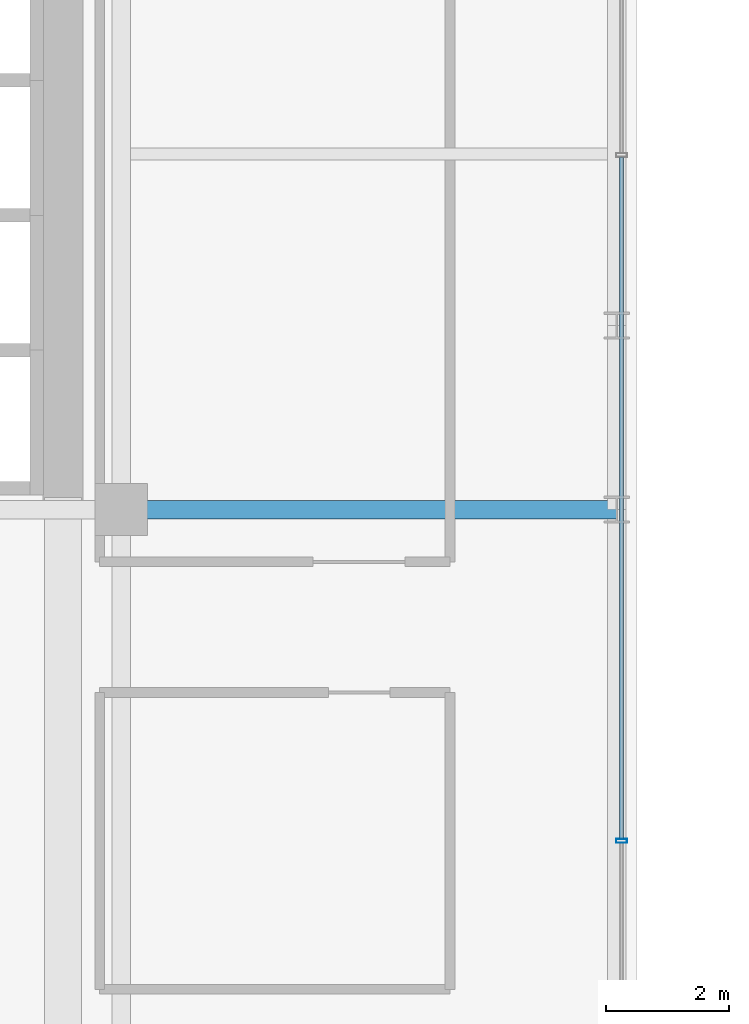
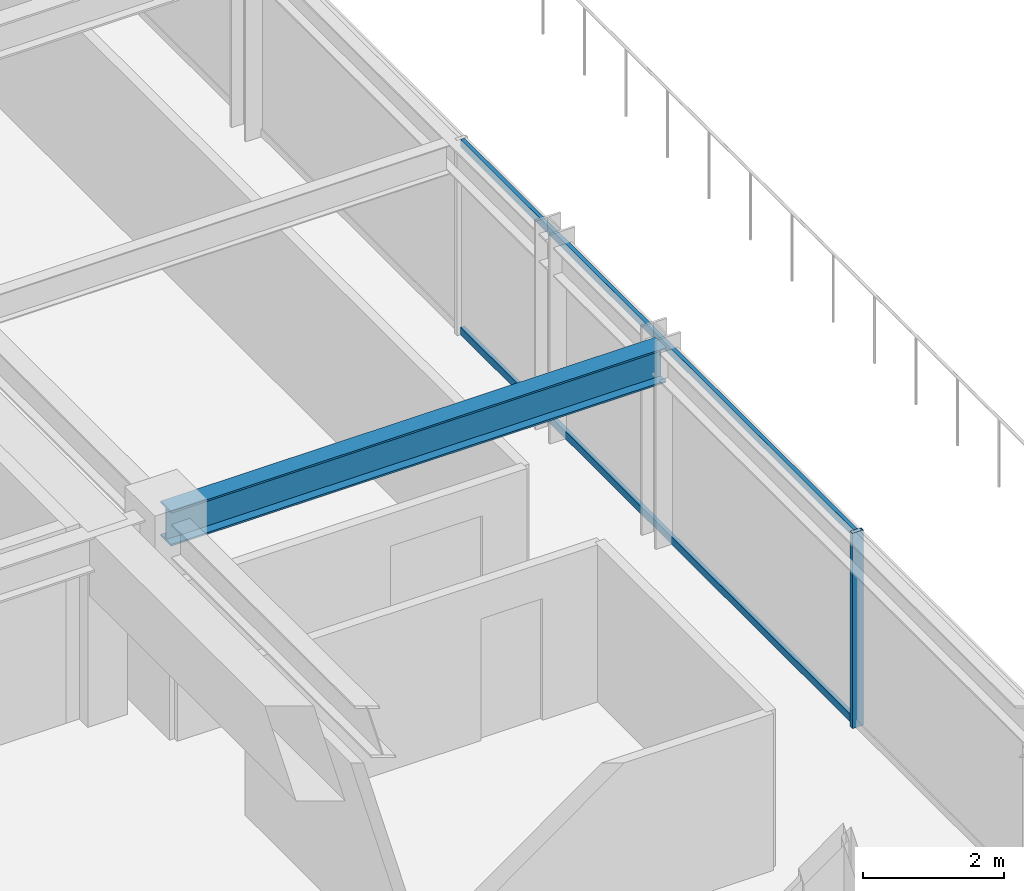
# One storey, part 17 of 39: 3 members, 1 beam, 1 element without a shape of its own.
"""IFC4 building model written with IfcOpenShell, lengths in metres."""

from ifc_helpers import new_model, si_unit, direction, frame, origin, origin_2d, place, context, subcontext, project, spatial, hollow_rectangle, i_section, extrude, source, transform, mapped, material, material_profile, profile_set, type_object, element, aggregate, save


model = new_model("IFC4")

# Units and contexts
model_context = context("Model", 3, precision=1e-05, world=origin(), true_north=direction((0.0, 1.0)))
body_context = subcontext(model_context, "Body", "Model", "MODEL_VIEW")
ifc_project = project(units=[si_unit("LENGTHUNIT", "METRE"), si_unit("AREAUNIT", "SQUARE_METRE"), si_unit("VOLUMEUNIT", "CUBIC_METRE"), si_unit("PLANEANGLEUNIT", "RADIAN"), si_unit("MASSUNIT", "GRAM", prefix="KILO")], contexts=[model_context])

# Site, building, storey
site_placement = place(None, origin())
site = spatial("IfcSite", under=ifc_project, at=site_placement, CompositionType="ELEMENT")
building_placement = place(site_placement, origin())
building = spatial("IfcBuilding", under=site, at=building_placement, Name="Nahalor Promenade Grand Hotel", CompositionType="ELEMENT")
storey_placement = place(building_placement, frame((0.0, 0.0, 32.39990234375)))
storey = spatial("IfcBuildingStorey", under=building, at=storey_placement, Name="L06", CompositionType="ELEMENT", Elevation=32.39990234375)

# Beam
ifc_material_1 = material(Name="Steel S355JR", Category="steel")
ifc_material_profile_1 = material_profile(ifc_material_1, i_section(OverallWidth=0.3, OverallDepth=0.6, WebThickness=0.0155, FlangeThickness=0.03, at=origin_2d()), Name="HEB 600")
ifc_profile_set_1 = profile_set([ifc_material_profile_1], Name="Steel S355JR")
beam_type = type_object("IfcBeamType", Name="Beam-Girder-HEB600", PredefinedType="BEAM", material=ifc_profile_set_1)
shared_shape_1 = source(origin(), body_context, "Body", "SweptSolid", [
    extrude(i_section(OverallWidth=0.3, OverallDepth=0.6, WebThickness=0.0155, FlangeThickness=0.03, at=origin_2d()), origin(), (0.0, 0.0, 1.0), 8.080078125),
])
beam_placement = place(storey_placement, frame((17.0, 5.39990234375, 3.070068359375), z_axis=(1.0, 0.0, 0.0), x_axis=(0.0, 1.0, 0.0)))
element("IfcBeam", 1, at=beam_placement, inside=storey, type_object=beam_type, Name="BM-L06-GX-2-6", PredefinedType="BEAM", context=body_context, shape_type="MappedRepresentation", body=[
    mapped(shared_shape_1, transform((0.0, 0.0, 0.0), scale=1.0)),
])

# Curtain wall, members
ifc_material_2 = material(Name="Anodised Bronze Aluminium EN AW-6063 T6", Category="aluminium")
curtain_wall_type = type_object("IfcCurtainWallType", Name="CW2 Typical Hotel Flush Bronze Unitised Curtain Wall", PredefinedType="USERDEFINED", material=ifc_material_2)
curtain_wall_placement = place(storey_placement, origin())
curtain_wall = element("IfcCurtainWall", 2, at=curtain_wall_placement, inside=storey, type_object=curtain_wall_type, Name="L06 Curtain Wall CW-L06-E-1", ObjectType="UNITISED_CURTAIN_WALL", PredefinedType="USERDEFINED")
ifc_material_profile_2 = material_profile(ifc_material_2, hollow_rectangle(XDim=0.065, YDim=0.18, WallThickness=0.004, at=origin_2d()), Name="CWM 65x180x4")
ifc_profile_set_2 = profile_set([ifc_material_profile_2], Name="Anodised Bronze Aluminium EN AW-6063 T6")
member_type_1 = type_object("IfcMemberType", Name="CWM2 Typical Bronze Mullion 65x180", PredefinedType="MULLION", material=ifc_profile_set_2)
shared_shape_2 = source(origin(), body_context, "Body", "SweptSolid", [
    extrude(hollow_rectangle(XDim=0.065, YDim=0.18, WallThickness=0.004, at=origin_2d()), origin(), (0.0, 0.0, 1.0), 3.3701171875),
])
member_1_placement = place(storey_placement, frame((25.159912109375, 0.0, 0.0), z_axis=(0.0, 0.0, 1.0), x_axis=(0.0, 1.0, 0.0)))
member_1 = element("IfcMember", 3, at=member_1_placement, type_object=member_type_1, Name="CW-L06-E-1 Mullion 2", PredefinedType="MULLION", context=body_context, shape_type="MappedRepresentation", body=[
    mapped(shared_shape_2, transform((0.0, 0.0, 0.0), scale=1.0)),
])
ifc_material_profile_3 = material_profile(ifc_material_2, hollow_rectangle(XDim=0.065, YDim=0.13, WallThickness=0.004, at=origin_2d()), Name="CWT 65x130x4")
ifc_profile_set_3 = profile_set([ifc_material_profile_3], Name="Anodised Bronze Aluminium EN AW-6063 T6")
member_type_2 = type_object("IfcMemberType", Name="CWT2 Typical Bronze Transom 65x130", PredefinedType="USERDEFINED", material=ifc_profile_set_3)
shared_shape_3 = source(origin(), body_context, "Body", "SweptSolid", [
    extrude(hollow_rectangle(XDim=0.065, YDim=0.13, WallThickness=0.004, at=origin_2d()), origin(), (0.0, 0.0, 1.0), 11.114990234375),
])
member_2_placement = place(storey_placement, frame((25.159912109375, 0.032470703125, 0.065185546875), z_axis=(0.0, 1.0, 0.0), x_axis=(-1.0, 0.0, 0.0)))
member_2 = element("IfcMember", 4, at=member_2_placement, type_object=member_type_2, Name="CW-L06-E-1 Transom 2-0", ObjectType="TRANSOM", PredefinedType="USERDEFINED", context=body_context, shape_type="MappedRepresentation", body=[
    mapped(shared_shape_3, transform((0.0, 0.0, 0.0), scale=1.0)),
])
member_3_placement = place(storey_placement, frame((25.159912109375, 0.032470703125, 3.30517578125), z_axis=(0.0, 1.0, 0.0), x_axis=(-1.0, 0.0, 0.0)))
member_3 = element("IfcMember", 5, at=member_3_placement, type_object=member_type_2, Name="CW-L06-E-1 Transom 2-1", ObjectType="TRANSOM", PredefinedType="USERDEFINED", context=body_context, shape_type="MappedRepresentation", body=[
    mapped(shared_shape_3, transform((0.0, 0.0, 0.0), scale=1.0)),
])
aggregate(curtain_wall, [member_1, member_2, member_3])

save(model, "model.ifc")
